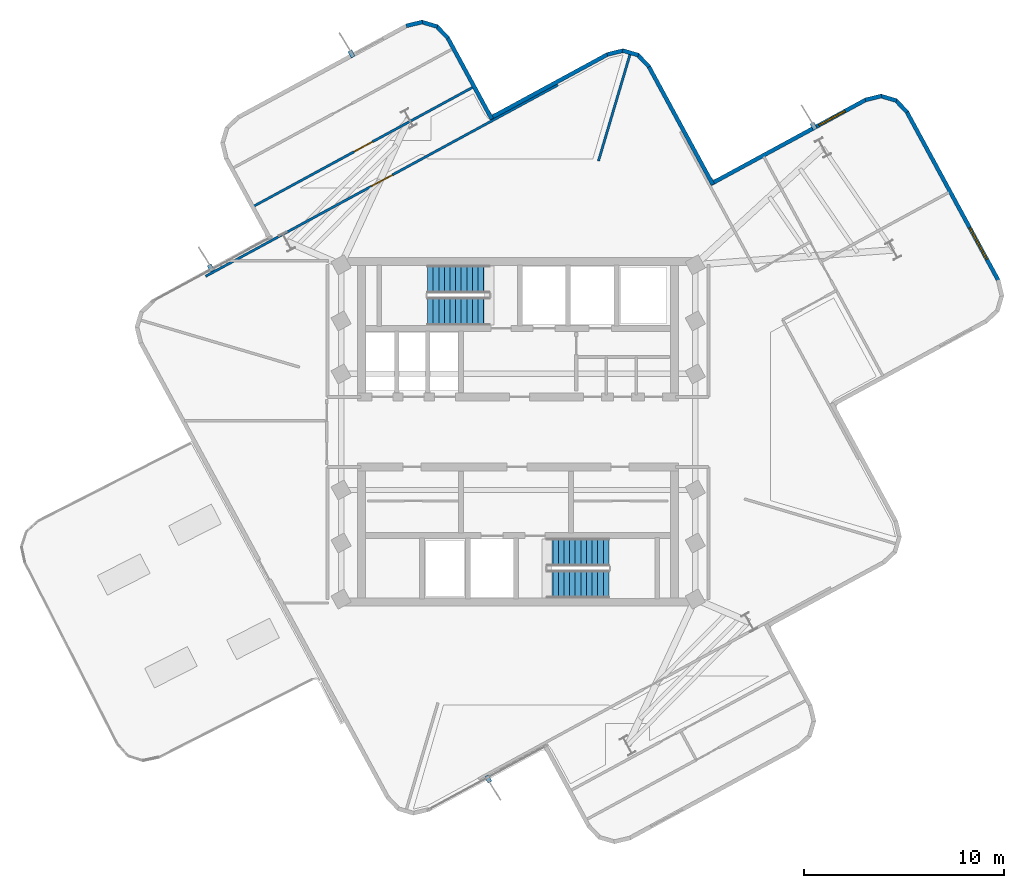
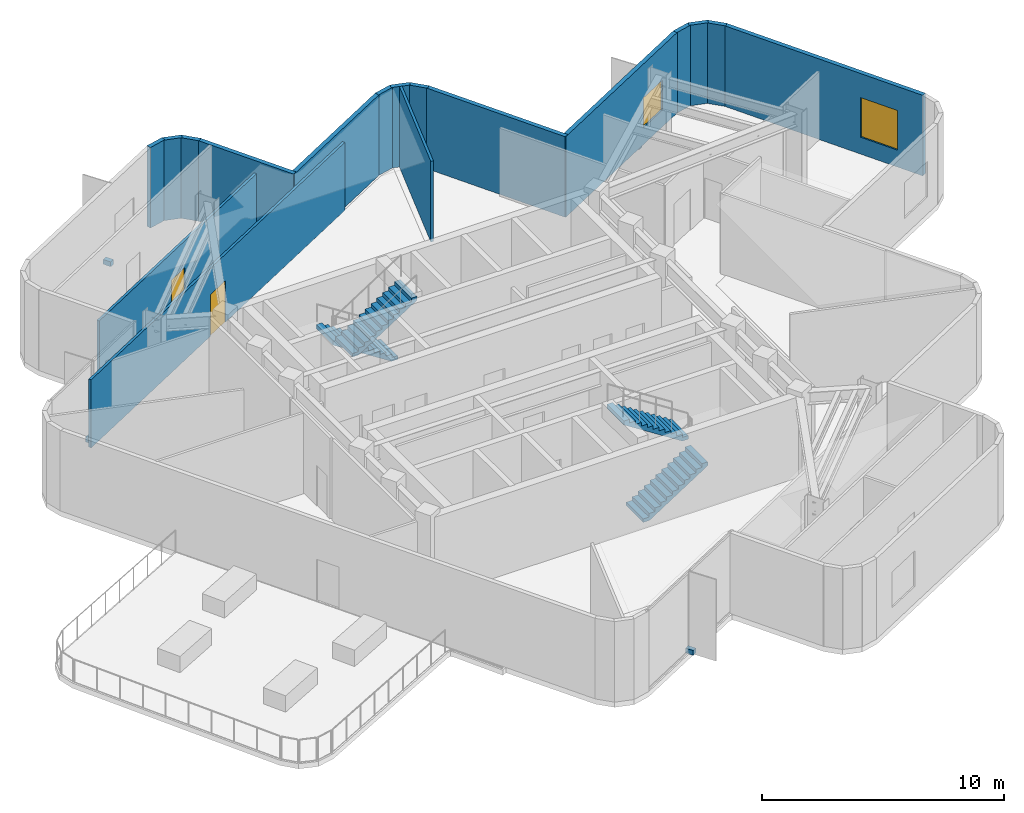
# One storey, part 6 of 10: 17 walls, 4 discrete accessories, 4 stair flights, 2 doors, 2 windows, 4 openings, 2 elements without a shape of their own.
"""IFC4 building model written with IfcOpenShell, lengths in metres."""

from ifc_helpers import new_model, si_unit, direction, frame, frame_2d, origin, origin_2d, place, context, subcontext, project, spatial, polyline, rectangle, outline, extrude, material, layer, layer_set, type_object, element, fill, aggregate, save


model = new_model("IFC4")

# Units and contexts
model_context = context("Model", 3, precision=1e-05, world=origin(), true_north=direction((0.0, 1.0)))
body_context = subcontext(model_context, "Body", "Model", "MODEL_VIEW")
ifc_project = project(units=[si_unit("LENGTHUNIT", "METRE"), si_unit("AREAUNIT", "SQUARE_METRE"), si_unit("VOLUMEUNIT", "CUBIC_METRE"), si_unit("PLANEANGLEUNIT", "RADIAN"), si_unit("MASSUNIT", "GRAM", prefix="KILO")], contexts=[model_context])

# Site, building, storey
site_placement = place(None, origin())
site = spatial("IfcSite", under=ifc_project, at=site_placement, CompositionType="ELEMENT")
building_placement = place(site_placement, origin())
building = spatial("IfcBuilding", under=site, at=building_placement, Name="Solmarez Civic Tower", CompositionType="ELEMENT")
storey_placement = place(building_placement, frame((0.0, 0.0, 200.8798828125)))
storey = spatial("IfcBuildingStorey", under=building, at=storey_placement, Name="L53", CompositionType="ELEMENT", Elevation=200.8798828125)

# Walls
ifc_material_1 = material(Name="Precast concrete C40/50", Category="concrete")
ifc_layer_1 = layer(ifc_material_1, 0.199951171875)
ifc_layer_set_1 = layer_set([ifc_layer_1], Name="Precast concrete C40/50")
wall_type_1 = type_object("IfcWallType", Name="WALL-EXT-200", PredefinedType="SOLIDWALL", material=ifc_layer_set_1)
wall_1_placement = place(storey_placement, frame((-5.59912109375, 20.2939453125, 0.0), z_axis=(0.0, 0.0, 1.0), x_axis=(0.972215037407, 0.234089557733, 0.0)))
element("IfcWall", 1, at=wall_1_placement, inside=storey, type_object=wall_type_1, Name="L53 Exterior Precast Wall 18", PredefinedType="SOLIDWALL", context=body_context, shape_type="SweptSolid", body=[
    extrude(rectangle(XDim=0.83740234375, YDim=0.199951171875, at=frame_2d((0.418701171875, 0.0))), origin(), (0.0, 0.0, 1.0), 4.06005859375),
])
wall_2_placement = place(storey_placement, frame((-4.8330078125, 20.490966796875, 0.0), z_axis=(0.0, 0.0, 1.0), x_axis=(0.958959195641, -0.283544107847, 0.0)))
element("IfcWall", 2, at=wall_2_placement, inside=storey, type_object=wall_type_1, Name="L53 Exterior Precast Wall 19", PredefinedType="SOLIDWALL", context=body_context, shape_type="SweptSolid", body=[
    extrude(rectangle(XDim=0.824951171875, YDim=0.199951171875, at=frame_2d((0.41259765625, 0.0))), origin(), (0.0, 0.0, 1.0), 4.06005859375),
])
wall_3_placement = place(storey_placement, frame((-4.0830078125, 20.281982421875, 0.0), z_axis=(0.0, 0.0, 1.0), x_axis=(0.688366566384, -0.725362992084, 0.0)))
element("IfcWall", 3, at=wall_3_placement, inside=storey, type_object=wall_type_1, Name="L53 Exterior Precast Wall 20", PredefinedType="SOLIDWALL", context=body_context, shape_type="SweptSolid", body=[
    extrude(rectangle(XDim=0.838134765625, YDim=0.199951171875, at=frame_2d((0.4189453125, 0.0))), origin(), (0.0, 0.0, 1.0), 4.06005859375),
])
wall_4_placement = place(storey_placement, frame((-3.534912109375, 19.714111328125, 0.0), z_axis=(0.0, 0.0, 1.0), x_axis=(0.477170791431, -0.878810580162, 0.0)))
element("IfcWall", 4, at=wall_4_placement, inside=storey, type_object=wall_type_1, Name="L53 Exterior Precast Wall 21", PredefinedType="SOLIDWALL", context=body_context, shape_type="SweptSolid", body=[
    extrude(rectangle(XDim=4.6416015625, YDim=0.199951171875, at=frame_2d((2.32080078125, 0.0))), origin(), (0.0, 0.0, 1.0), 4.06005859375),
])
wall_5_placement = place(storey_placement, frame((-1.427978515625, 15.6669921875, 0.0), z_axis=(0.0, 0.0, 1.0), x_axis=(0.878784004338, 0.477219733162, 0.0)))
element("IfcWall", 5, at=wall_5_placement, inside=storey, type_object=wall_type_1, Name="L53 Exterior Precast Wall 24", PredefinedType="SOLIDWALL", context=body_context, shape_type="SweptSolid", body=[
    extrude(rectangle(XDim=6.7412109375, YDim=0.199951171875, at=frame_2d((3.37060546875, 0.0))), origin(), (0.0, 0.0, 1.0), 4.06005859375),
])
wall_6_placement = place(storey_placement, frame((4.449951171875, 18.865966796875, 0.0), z_axis=(0.0, 0.0, 1.0), x_axis=(0.972262900219, 0.233890685703, 0.0)))
element("IfcWall", 6, at=wall_6_placement, inside=storey, type_object=wall_type_1, Name="L53 Exterior Precast Wall 25", PredefinedType="SOLIDWALL", context=body_context, shape_type="SweptSolid", body=[
    extrude(rectangle(XDim=0.838134765625, YDim=0.199951171875, at=frame_2d((0.4189453125, 0.0))), origin(), (0.0, 0.0, 1.0), 4.06005859375),
])
wall_7_placement = place(storey_placement, frame((5.217041015625, 19.06298828125, 0.0), z_axis=(0.0, 0.0, 1.0), x_axis=(0.958863850972, -0.283866368736, 0.0)))
element("IfcWall", 7, at=wall_7_placement, inside=storey, type_object=wall_type_1, Name="L53 Exterior Precast Wall 26", PredefinedType="SOLIDWALL", context=body_context, shape_type="SweptSolid", body=[
    extrude(rectangle(XDim=0.823974609375, YDim=0.199951171875, at=frame_2d((0.412109375, 0.0))), origin(), (0.0, 0.0, 1.0), 4.06005859375),
])
wall_8_placement = place(storey_placement, frame((5.966064453125, 18.85400390625, 0.0), z_axis=(0.0, 0.0, 1.0), x_axis=(0.688366566384, -0.725362992084, 0.0)))
element("IfcWall", 8, at=wall_8_placement, inside=storey, type_object=wall_type_1, Name="L53 Exterior Precast Wall 27", PredefinedType="SOLIDWALL", context=body_context, shape_type="SweptSolid", body=[
    extrude(rectangle(XDim=0.838134765625, YDim=0.199951171875, at=frame_2d((0.4189453125, 0.0))), origin(), (0.0, 0.0, 1.0), 4.06005859375),
])
wall_9_placement = place(storey_placement, frame((6.513916015625, 18.285888671875, 0.0), z_axis=(0.0, 0.0, 1.0), x_axis=(0.477174172682, -0.878808744224, 0.0)))
element("IfcWall", 9, at=wall_9_placement, inside=storey, type_object=wall_type_1, Name="L53 Exterior Precast Wall 28", PredefinedType="SOLIDWALL", context=body_context, shape_type="SweptSolid", body=[
    extrude(rectangle(XDim=6.741943359375, YDim=0.199951171875, at=frame_2d((3.37109375, 0.0))), origin(), (0.0, 0.0, 1.0), 4.06005859375),
])

# Wall, opening, window
wall_10_placement = place(storey_placement, frame((9.623046875, 12.39306640625, 0.0), z_axis=(0.0, 0.0, 1.0), x_axis=(0.878806785067, 0.477177780832, 0.0)))
wall_10 = element("IfcWall", 10, at=wall_10_placement, inside=storey, type_object=wall_type_1, Name="L53 Exterior Precast Wall 31", PredefinedType="SOLIDWALL", context=body_context, shape_type="SweptSolid", body=[
    extrude(rectangle(XDim=8.841552734375, YDim=0.199951171875, at=frame_2d((4.4208984375, 0.0))), origin(), (0.0, 0.0, 1.0), 4.06005859375),
])
opening_1_placement = place(wall_10_placement, frame((6.14599609375, 0.0, 0.85009765625)))
opening_1 = element("IfcOpeningElement", 11, at=opening_1_placement, cuts=wall_10, Name="Opening W-14", PredefinedType="OPENING", context=body_context, shape_type="SweptSolid", body=[
    extrude(rectangle(XDim=1.5, YDim=1.5, at=frame_2d((0.75, 0.75))), frame((0.0, 0.10986328125, 0.0), z_axis=(0.0, -1.0, 0.0), x_axis=(1.0, 0.0, 0.0)), (0.0, 0.0, 1.0), 0.219970703125),
])
ifc_material_2 = material(Name="Solar Control Bronze-Tinted Insulating Glass", Category="glass")
window_type_1 = type_object("IfcWindowType", Name="WIN-1500X1500", PartitioningType="SINGLE_PANEL", PredefinedType="WINDOW", material=ifc_material_2)
window_1_placement = place(opening_1_placement, origin())
window_1 = element("IfcWindow", 12, at=window_1_placement, inside=storey, type_object=window_type_1, Name="L53 Exterior Facade Window 31", OverallHeight=1.5, OverallWidth=1.5, PartitioningType="SINGLE_PANEL", PredefinedType="WINDOW", context=body_context, shape_type="SweptSolid", body=[
    extrude(rectangle(XDim=1.5, YDim=1.5, at=frame_2d((0.75, 0.75))), frame((0.0, 0.030029296875, 0.0), z_axis=(0.0, -1.0, 0.0), x_axis=(1.0, 0.0, 0.0)), (0.0, 0.0, 1.0), 0.06005859375),
])
fill(opening_1, window_1)

# Walls
wall_11_placement = place(storey_placement, frame((17.346923828125, 16.593994140625, 0.0), z_axis=(0.0, 0.0, 1.0), x_axis=(0.972199055992, 0.234155921404, 0.0)))
element("IfcWall", 13, at=wall_11_placement, inside=storey, type_object=wall_type_1, Name="L53 Exterior Precast Wall 32", PredefinedType="SOLIDWALL", context=body_context, shape_type="SweptSolid", body=[
    extrude(rectangle(XDim=0.837158203125, YDim=0.199951171875, at=frame_2d((0.41845703125, 0.0))), origin(), (0.0, 0.0, 1.0), 4.06005859375),
])
wall_12_placement = place(storey_placement, frame((18.113037109375, 16.791015625, 0.0), z_axis=(0.0, 0.0, 1.0), x_axis=(0.95887868602, -0.283816253053, 0.0)))
element("IfcWall", 14, at=wall_12_placement, inside=storey, type_object=wall_type_1, Name="L53 Exterior Precast Wall 33", PredefinedType="SOLIDWALL", context=body_context, shape_type="SweptSolid", body=[
    extrude(rectangle(XDim=0.824951171875, YDim=0.199951171875, at=frame_2d((0.41259765625, 0.0))), origin(), (0.0, 0.0, 1.0), 4.06005859375),
])
wall_13_placement = place(storey_placement, frame((18.863037109375, 16.58203125, 0.0), z_axis=(0.0, 0.0, 1.0), x_axis=(0.688948659988, -0.724810143348, 0.0)))
element("IfcWall", 15, at=wall_13_placement, inside=storey, type_object=wall_type_1, Name="L53 Exterior Precast Wall 34", PredefinedType="SOLIDWALL", context=body_context, shape_type="SweptSolid", body=[
    extrude(rectangle(XDim=0.83740234375, YDim=0.199951171875, at=frame_2d((0.418701171875, 0.0))), origin(), (0.0, 0.0, 1.0), 4.06005859375),
])

# Wall, opening, window
wall_14_placement = place(storey_placement, frame((19.410888671875, 16.014892578125, 0.0), z_axis=(0.0, 0.0, 1.0), x_axis=(0.477136087368, -0.878829422659, 0.0)))
wall_14 = element("IfcWall", 16, at=wall_14_placement, inside=storey, type_object=wall_type_1, Name="L53 Exterior Precast Wall 35", PredefinedType="SOLIDWALL", context=body_context, shape_type="SweptSolid", body=[
    extrude(rectangle(XDim=9.624267578125, YDim=0.199951171875, at=frame_2d((4.81201171875, 0.0))), origin(), (0.0, 0.0, 1.0), 4.06005859375),
])
opening_2_placement = place(wall_14_placement, frame((6.60693359375, 0.0, 0.85009765625)))
opening_2 = element("IfcOpeningElement", 17, at=opening_2_placement, cuts=wall_14, Name="Opening W-04", PredefinedType="OPENING", context=body_context, shape_type="SweptSolid", body=[
    extrude(rectangle(XDim=1.800048828125, YDim=2.0, at=frame_2d((0.89990234375, 1.0))), frame((0.0, 0.10986328125, 0.0), z_axis=(0.0, -1.0, 0.0), x_axis=(1.0, 0.0, 0.0)), (0.0, 0.0, 1.0), 0.219970703125),
])
window_type_2 = type_object("IfcWindowType", Name="WIN-1800X2000", PartitioningType="SINGLE_PANEL", PredefinedType="WINDOW", material=ifc_material_2)
window_2_placement = place(opening_2_placement, origin())
window_2 = element("IfcWindow", 18, at=window_2_placement, inside=storey, type_object=window_type_2, Name="L53 Exterior Facade Window 35", OverallHeight=2.0, OverallWidth=1.800048828125, PartitioningType="SINGLE_PANEL", PredefinedType="WINDOW", context=body_context, shape_type="SweptSolid", body=[
    extrude(rectangle(XDim=1.800048828125, YDim=2.0, at=frame_2d((0.89990234375, 1.0))), frame((0.0, 0.030029296875, 0.0), z_axis=(0.0, -1.0, 0.0), x_axis=(1.0, 0.0, 0.0)), (0.0, 0.0, 1.0), 0.06005859375),
])
fill(opening_2, window_2)

# Wall
ifc_material_3 = material(Name="Gypsum Board Acoustic Steel-Stud Partition", Category="steel")
ifc_layer_2 = layer(ifc_material_3, 0.1201171875)
ifc_layer_set_2 = layer_set([ifc_layer_2], Name="Gypsum Board Acoustic Steel-Stud Partition")
wall_type_2 = type_object("IfcWallType", Name="WALL-INT-PART-120", PredefinedType="PARTITIONING", material=ifc_layer_set_2)
wall_15_placement = place(storey_placement, frame((4.010986328125, 13.5400390625, 0.0), z_axis=(0.0, 0.0, 1.0), x_axis=(0.283861614282, 0.958865258489, 0.0)))
element("IfcWall", 19, at=wall_15_placement, inside=storey, type_object=wall_type_2, Name="L53 Interior Partition PT-L53-QDIV-1", PredefinedType="PARTITIONING", context=body_context, shape_type="SweptSolid", body=[
    extrude(rectangle(XDim=5.5732421875, YDim=0.1201171875, at=frame_2d((2.78662109375, 0.0))), origin(), (0.0, 0.0, 1.0), 4.06005859375),
])

# Wall, opening, door
wall_16_placement = place(storey_placement, frame((-15.6240234375, 7.777099609375, 0.0), z_axis=(0.0, 0.0, 1.0), x_axis=(0.878797236248, 0.477195366242, 0.0)))
wall_16 = element("IfcWall", 20, at=wall_16_placement, inside=storey, type_object=wall_type_2, Name="L53 Interior Partition PT-L53-N-ENT", PredefinedType="PARTITIONING", context=body_context, shape_type="SweptSolid", body=[
    extrude(rectangle(XDim=20.0400390625, YDim=0.1201171875, at=frame_2d((10.02001953125, 0.0))), origin(), (0.0, 0.0, 1.0), 3.43017578125),
])
opening_3_placement = place(wall_16_placement, frame((9.4189453125, 0.0, 0.0)))
opening_3 = element("IfcOpeningElement", 21, at=opening_3_placement, cuts=wall_16, Name="Opening D-11", PredefinedType="OPENING", context=body_context, shape_type="SweptSolid", body=[
    extrude(rectangle(XDim=1.199951171875, YDim=2.10009765625, at=frame_2d((0.60009765625, 1.050048828125))), frame((0.0, 0.070068359375, 0.0), z_axis=(0.0, -1.0, 0.0), x_axis=(1.0, 0.0, 0.0)), (0.0, 0.0, 1.0), 0.14013671875),
])
ifc_material_4 = material(Name="Glazed-Vision Acoustic Chamber Door", Category="wood")
door_type_1 = type_object("IfcDoorType", Name="DOOR-INT-1200", OperationType="NOTDEFINED", PredefinedType="DOOR", material=ifc_material_4)
door_1_placement = place(opening_3_placement, origin())
door_1 = element("IfcDoor", 22, at=door_1_placement, inside=storey, type_object=door_type_1, Name="L53 Civic Seminar Classroom First North Door", OperationType="SINGLE_SWING_LEFT", OverallHeight=2.10009765625, OverallWidth=1.199951171875, PredefinedType="DOOR", context=body_context, shape_type="SweptSolid", body=[
    extrude(rectangle(XDim=1.199951171875, YDim=2.10009765625, at=frame_2d((0.60009765625, 1.050048828125))), frame((0.0, 0.02490234375, 0.0), z_axis=(0.0, -1.0, 0.0), x_axis=(1.0, 0.0, 0.0)), (0.0, 0.0, 1.0), 0.050048828125),
])
fill(opening_3, door_1)

wall_17_placement = place(storey_placement, frame((-13.218994140625, 11.279052734375, 0.0), z_axis=(0.0, 0.0, 1.0), x_axis=(0.878794087564, 0.477201164774, 0.0)))
wall_17 = element("IfcWall", 23, at=wall_17_placement, inside=storey, type_object=wall_type_2, Name="L53 Interior Partition PT-L53-N-SC1", PredefinedType="PARTITIONING", context=body_context, shape_type="SweptSolid", body=[
    extrude(rectangle(XDim=12.470458984375, YDim=0.1201171875, at=frame_2d((6.2353515625, 0.0))), origin(), (0.0, 0.0, 1.0), 3.43017578125),
])
opening_4_placement = place(wall_17_placement, frame((5.708984375, 0.0, 0.0)))
opening_4 = element("IfcOpeningElement", 24, at=opening_4_placement, cuts=wall_17, Name="Opening D-13", PredefinedType="OPENING", context=body_context, shape_type="SweptSolid", body=[
    extrude(rectangle(XDim=1.050048828125, YDim=2.080078125, at=frame_2d((0.52490234375, 1.0400390625))), frame((0.0, 0.070068359375, 0.0), z_axis=(0.0, -1.0, 0.0), x_axis=(1.0, 0.0, 0.0)), (0.0, 0.0, 1.0), 0.14013671875),
])
ifc_material_5 = material(Name="Timber Directorate Office Door", Category="wood")
door_type_2 = type_object("IfcDoorType", Name="DOOR-INT-1050", OperationType="NOTDEFINED", PredefinedType="DOOR", material=ifc_material_5)
door_2_placement = place(opening_4_placement, origin())
door_2 = element("IfcDoor", 25, at=door_2_placement, inside=storey, type_object=door_type_2, Name="L53 Public Law Reading Room North Door", OperationType="SINGLE_SWING_LEFT", OverallHeight=2.080078125, OverallWidth=1.050048828125, PredefinedType="DOOR", context=body_context, shape_type="SweptSolid", body=[
    extrude(rectangle(XDim=1.050048828125, YDim=2.080078125, at=frame_2d((0.52490234375, 1.0400390625))), frame((0.0, 0.02490234375, 0.0), z_axis=(0.0, -1.0, 0.0), x_axis=(1.0, 0.0, 0.0)), (0.0, 0.0, 1.0), 0.050048828125),
])
fill(opening_4, door_2)

# Stair, stair flights
ifc_material_6 = material(Name="Concrete C50/60", Category="concrete")
stair_type = type_object("IfcStairType", Name="STAIR-DOGLEG-140W-24R-1800", PredefinedType="HALF_TURN_STAIR", material=ifc_material_6)
stair_1_placement = place(storey_placement, origin())
stair_1 = element("IfcStair", 26, at=stair_1_placement, inside=storey, type_object=stair_type, Name="L53 North Core Protected Exit Stair ST-1", PredefinedType="HALF_TURN_STAIR")
stair_flight_type = type_object("IfcStairFlightType", Name="FLIGHT-DOGLEG-140W-12R-1800", PredefinedType="STRAIGHT", material=ifc_material_6)
stair_flight_1_placement = place(storey_placement, frame((-1.449951171875, 7.6201171875, 0.0), z_axis=(0.0, 0.0, 1.0), x_axis=(-1.0, 0.0, 0.0)))
stair_flight_1 = element("IfcStairFlight", 27, at=stair_flight_1_placement, type_object=stair_flight_type, Name="ST-1 flight 1", NumberOfRisers=12, NumberOfTreads=11, PredefinedType="STRAIGHT", RiserHeight=0.18, TreadLength=0.28, context=body_context, shape_type="SweptSolid", body=[
    extrude(outline(polyline([(0.0, 0.0), (0.0, 0.179931640625), (0.280029296875, 0.179931640625), (0.280029296875, 0.360107421875), (0.56005859375, 0.360107421875), (0.56005859375, 0.5400390625), (0.840087890625, 0.5400390625), (0.840087890625, 0.719970703125), (1.1201171875, 0.719970703125), (1.1201171875, 0.89990234375), (1.39990234375, 0.89990234375), (1.39990234375, 1.080078125), (1.679931640625, 1.080078125), (1.679931640625, 1.260009765625), (1.9599609375, 1.260009765625), (1.9599609375, 1.43994140625), (2.239990234375, 1.43994140625), (2.239990234375, 1.6201171875), (2.52001953125, 1.6201171875), (2.52001953125, 1.800048828125), (2.800048828125, 1.800048828125), (2.800048828125, 1.97998046875), (3.080078125, 1.97998046875), (3.080078125, 2.159912109375), (3.080078125, 1.789794921875), (0.295654296875, 0.0), (0.0, 0.0)])), frame((0.0, 0.699951171875, 0.0), z_axis=(0.0, -1.0, 0.0), x_axis=(1.0, 0.0, 0.0)), (0.0, 0.0, 1.0), 1.39990234375),
])
stair_flight_2_placement = place(storey_placement, frame((-4.530029296875, 6.02001953125, 2.16015625), z_axis=(0.0, 0.0, 1.0), x_axis=(1.0, 0.0, 0.0)))
stair_flight_2 = element("IfcStairFlight", 28, at=stair_flight_2_placement, type_object=stair_flight_type, Name="ST-1 flight 2", NumberOfRisers=12, NumberOfTreads=11, PredefinedType="STRAIGHT", RiserHeight=0.18, TreadLength=0.28, context=body_context, shape_type="SweptSolid", body=[
    extrude(outline(polyline([(0.0, 0.0), (0.0, 0.179931640625), (0.280029296875, 0.179931640625), (0.280029296875, 0.360107421875), (0.56005859375, 0.360107421875), (0.56005859375, 0.5400390625), (0.840087890625, 0.5400390625), (0.840087890625, 0.719970703125), (1.1201171875, 0.719970703125), (1.1201171875, 0.89990234375), (1.39990234375, 0.89990234375), (1.39990234375, 1.080078125), (1.679931640625, 1.080078125), (1.679931640625, 1.260009765625), (1.9599609375, 1.260009765625), (1.9599609375, 1.43994140625), (2.239990234375, 1.43994140625), (2.239990234375, 1.6201171875), (2.52001953125, 1.6201171875), (2.52001953125, 1.800048828125), (2.800048828125, 1.800048828125), (2.800048828125, 1.97998046875), (3.080078125, 1.97998046875), (3.080078125, 2.159912109375), (3.080078125, 1.789794921875), (0.295654296875, 0.0), (0.0, 0.0)])), frame((0.0, 0.699951171875, 0.0), z_axis=(0.0, -1.0, 0.0), x_axis=(1.0, 0.0, 0.0)), (0.0, 0.0, 1.0), 1.39990234375),
])
aggregate(stair_1, [stair_flight_1, stair_flight_2])

stair_2_placement = place(storey_placement, origin())
stair_2 = element("IfcStair", 29, at=stair_2_placement, inside=storey, type_object=stair_type, Name="L53 South Core Protected Exit Stair ST-2", PredefinedType="HALF_TURN_STAIR")
stair_flight_3_placement = place(storey_placement, frame((1.449951171875, -7.6201171875, 0.0), z_axis=(0.0, 0.0, 1.0), x_axis=(1.0, 0.0, 0.0)))
stair_flight_3 = element("IfcStairFlight", 30, at=stair_flight_3_placement, type_object=stair_flight_type, Name="ST-2 flight 1", NumberOfRisers=12, NumberOfTreads=11, PredefinedType="STRAIGHT", RiserHeight=0.18, TreadLength=0.28, context=body_context, shape_type="SweptSolid", body=[
    extrude(outline(polyline([(0.0, 0.0), (0.0, 0.179931640625), (0.280029296875, 0.179931640625), (0.280029296875, 0.360107421875), (0.56005859375, 0.360107421875), (0.56005859375, 0.5400390625), (0.840087890625, 0.5400390625), (0.840087890625, 0.719970703125), (1.1201171875, 0.719970703125), (1.1201171875, 0.89990234375), (1.39990234375, 0.89990234375), (1.39990234375, 1.080078125), (1.679931640625, 1.080078125), (1.679931640625, 1.260009765625), (1.9599609375, 1.260009765625), (1.9599609375, 1.43994140625), (2.239990234375, 1.43994140625), (2.239990234375, 1.6201171875), (2.52001953125, 1.6201171875), (2.52001953125, 1.800048828125), (2.800048828125, 1.800048828125), (2.800048828125, 1.97998046875), (3.080078125, 1.97998046875), (3.080078125, 2.159912109375), (3.080078125, 1.789794921875), (0.295654296875, 0.0), (0.0, 0.0)])), frame((0.0, 0.699951171875, 0.0), z_axis=(0.0, -1.0, 0.0), x_axis=(1.0, 0.0, 0.0)), (0.0, 0.0, 1.0), 1.39990234375),
])
stair_flight_4_placement = place(storey_placement, frame((4.530029296875, -6.02001953125, 2.16015625), z_axis=(0.0, 0.0, 1.0), x_axis=(-1.0, 0.0, 0.0)))
stair_flight_4 = element("IfcStairFlight", 31, at=stair_flight_4_placement, type_object=stair_flight_type, Name="ST-2 flight 2", NumberOfRisers=12, NumberOfTreads=11, PredefinedType="STRAIGHT", RiserHeight=0.18, TreadLength=0.28, context=body_context, shape_type="SweptSolid", body=[
    extrude(outline(polyline([(0.0, 0.0), (0.0, 0.179931640625), (0.280029296875, 0.179931640625), (0.280029296875, 0.360107421875), (0.56005859375, 0.360107421875), (0.56005859375, 0.5400390625), (0.840087890625, 0.5400390625), (0.840087890625, 0.719970703125), (1.1201171875, 0.719970703125), (1.1201171875, 0.89990234375), (1.39990234375, 0.89990234375), (1.39990234375, 1.080078125), (1.679931640625, 1.080078125), (1.679931640625, 1.260009765625), (1.9599609375, 1.260009765625), (1.9599609375, 1.43994140625), (2.239990234375, 1.43994140625), (2.239990234375, 1.6201171875), (2.52001953125, 1.6201171875), (2.52001953125, 1.800048828125), (2.800048828125, 1.800048828125), (2.800048828125, 1.97998046875), (3.080078125, 1.97998046875), (3.080078125, 2.159912109375), (3.080078125, 1.789794921875), (0.295654296875, 0.0), (0.0, 0.0)])), frame((0.0, 0.699951171875, 0.0), z_axis=(0.0, -1.0, 0.0), x_axis=(1.0, 0.0, 0.0)), (0.0, 0.0, 1.0), 1.39990234375),
])
aggregate(stair_2, [stair_flight_3, stair_flight_4])

# Discrete accessories
ifc_material_7 = material(Name="Stainless Steel Grade 1.4401", Category="steel")
discrete_accessory_type = type_object("IfcDiscreteAccessoryType", Name="BRACKET-SS-FIN", PredefinedType="BRACKET", material=ifc_material_7)
for number, where, z_axis, x_axis, name in (
    (32, (-1.49609375, -17.345947265625, -0.06005859375), (0.0, 0.0, 1.0), (0.477214894313, -0.878786632036, 0.0), "L53 Stainless Fin Support Bracket FIN-L53-01"),
    (33, (-15.362060546875, 8.193115234375, -0.06005859375), (0.0, 0.0, 1.0), (-0.477151709265, 0.878820941003, 0.0), "L53 Stainless Fin Support Bracket FIN-L53-02"),
    (34, (-8.3310546875, 18.89501953125, -0.06005859375), (0.0, 0.0, 1.0), (-0.477124132527, 0.878835913103, 0.0), "L53 Stainless Fin Support Bracket FIN-L53-03"),
    (35, (14.76611328125, 15.277099609375, -0.06005859375), (0.0, 0.0, 1.0), (-0.477175214439, 0.878808178572, 0.0), "L53 Stainless Fin Support Bracket FIN-L53-04"),
):
    element("IfcDiscreteAccessory", number, at=place(storey_placement, frame(where, z_axis=z_axis, x_axis=x_axis)), inside=storey, type_object=discrete_accessory_type, Name=name, PredefinedType="BRACKET", context=body_context, shape_type="SweptSolid", body=[
        extrude(rectangle(XDim=0.360107421875, YDim=0.219970703125, at=origin_2d()), origin(), (0.0, 0.0, 1.0), 0.239990234375),
    ])

save(model, "model.ifc")
